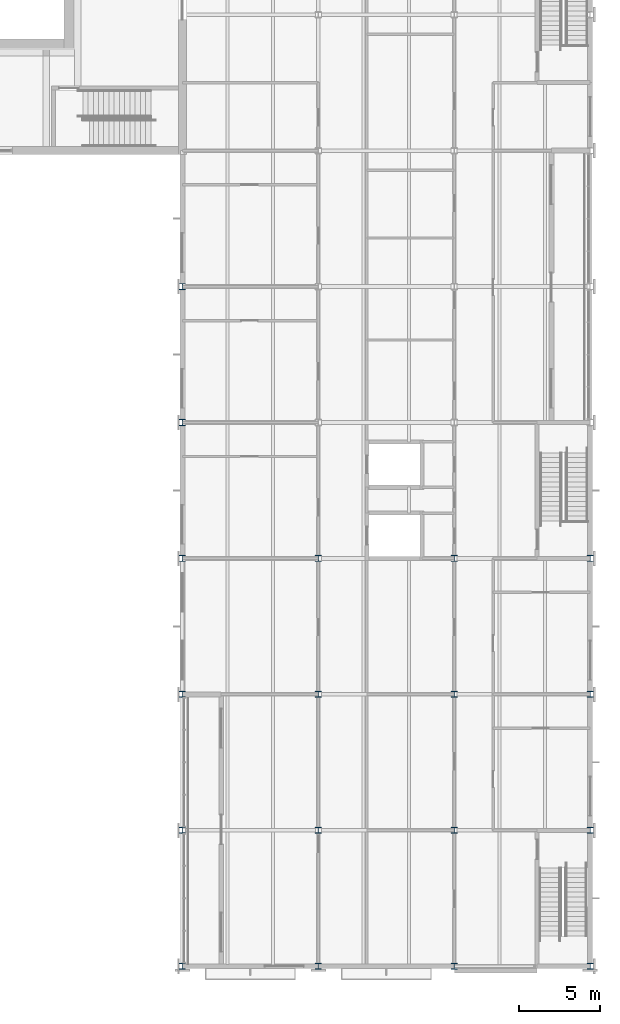
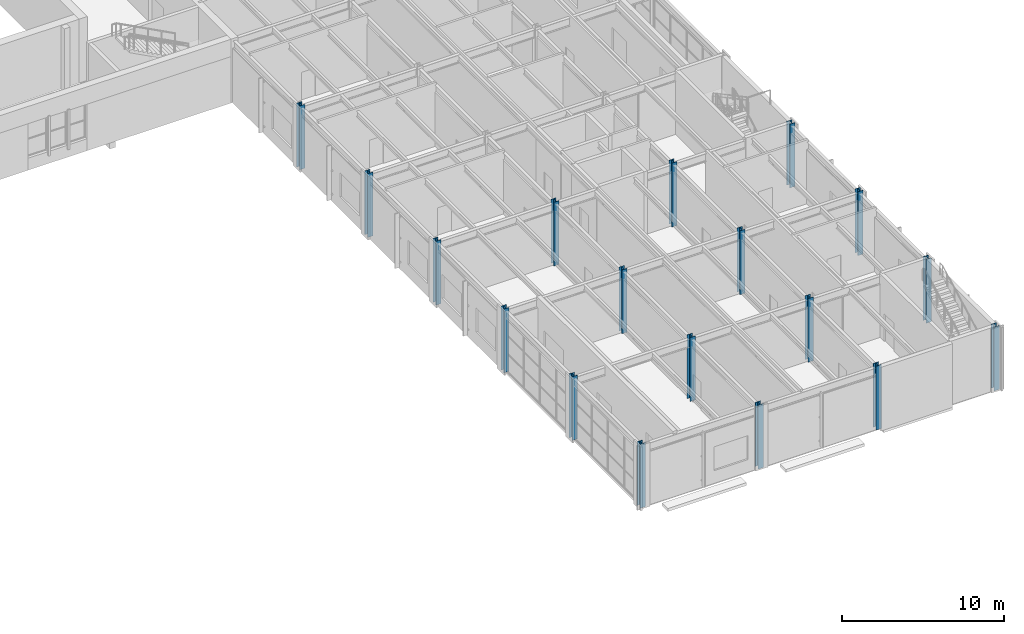
# One storey, part 4 of 127: 18 columns.
"""IFC4 building model written with IfcOpenShell, lengths in metres."""

from ifc_helpers import new_model, si_unit, direction, frame, origin, origin_2d, place, context, subcontext, project, spatial, i_section, extrude, material, material_profile, profile_set, type_object, element, save


model = new_model("IFC4")

# Units and contexts
model_context = context("Model", 3, precision=1e-05, world=origin(), true_north=direction((0.0, 1.0)))
body_context = subcontext(model_context, "Body", "Model", "MODEL_VIEW")
ifc_project = project(units=[si_unit("LENGTHUNIT", "METRE"), si_unit("AREAUNIT", "SQUARE_METRE"), si_unit("VOLUMEUNIT", "CUBIC_METRE"), si_unit("PLANEANGLEUNIT", "RADIAN"), si_unit("MASSUNIT", "GRAM", prefix="KILO")], contexts=[model_context])

# Site, building, storey
site_placement = place(None, origin())
site = spatial("IfcSite", under=ifc_project, at=site_placement, CompositionType="ELEMENT")
building_placement = place(site_placement, origin())
building = spatial("IfcBuilding", under=site, at=building_placement, Name="Ljudholm Concert House", CompositionType="ELEMENT")
storey_placement = place(building_placement, frame((0.0, 0.0, 5.39990234375)))
storey = spatial("IfcBuildingStorey", under=building, at=storey_placement, Name="L01", CompositionType="ELEMENT", Elevation=5.39990234375)

# Columns
ifc_material = material(Name="Steel ASTM A992", Category="steel")
ifc_material_profile = material_profile(ifc_material, i_section(OverallWidth=0.373291015625, OverallDepth=0.373291015625, WebThickness=0.016357421875, FlangeThickness=0.026123046875, FilletRadius=0.01513671875, at=origin_2d()), Name="W14X132")
ifc_profile_set = profile_set([ifc_material_profile], Name="Steel ASTM A992")
column_type = type_object("IfcColumnType", Name="STEEL COLUMN W14X132", PredefinedType="COLUMN", material=ifc_profile_set)
for number, where, z_axis, x_axis, name in (
    (1, (96.39990234375, 4.0, 0.0), (0.0, 0.0, 1.0), (1.0, 0.0, 0.0), "Column BOH-L01-col-96.4-4"),
    (2, (96.39990234375, 12.39990234375, 0.0), (0.0, 0.0, 1.0), (1.0, 0.0, 0.0), "Column BOH-L01-col-96.4-12.4"),
    (3, (96.39990234375, 20.800048828125, 0.0), (0.0, 0.0, 1.0), (1.0, 0.0, 0.0), "Column BOH-L01-col-96.4-20.8"),
    (4, (96.39990234375, 29.199951171875, 0.0), (0.0, 0.0, 1.0), (1.0, 0.0, 0.0), "Column BOH-L01-col-96.4-29.2"),
    (5, (96.39990234375, 37.60009765625, 0.0), (0.0, 0.0, 1.0), (1.0, 0.0, 0.0), "Column BOH-L01-col-96.4-37.6"),
    (6, (96.39990234375, 46.0, 0.0), (0.0, 0.0, 1.0), (1.0, 0.0, 0.0), "Column BOH-L01-col-96.4-46"),
    (7, (104.800048828125, 4.0, 0.0), (0.0, 0.0, 1.0), (1.0, 0.0, 0.0), "Column BOH-L01-col-104.8-4"),
    (8, (104.800048828125, 12.39990234375, 0.0), (0.0, 0.0, 1.0), (1.0, 0.0, 0.0), "Column BOH-L01-col-104.8-12.4"),
    (9, (104.800048828125, 20.800048828125, 0.0), (0.0, 0.0, 1.0), (1.0, 0.0, 0.0), "Column BOH-L01-col-104.8-20.8"),
    (10, (104.800048828125, 29.199951171875, 0.0), (0.0, 0.0, 1.0), (1.0, 0.0, 0.0), "Column BOH-L01-col-104.8-29.2"),
    (11, (113.199951171875, 4.0, 0.0), (0.0, 0.0, 1.0), (1.0, 0.0, 0.0), "Column BOH-L01-col-113.2-4"),
    (12, (113.199951171875, 12.39990234375, 0.0), (0.0, 0.0, 1.0), (1.0, 0.0, 0.0), "Column BOH-L01-col-113.2-12.4"),
    (13, (113.199951171875, 20.800048828125, 0.0), (0.0, 0.0, 1.0), (1.0, 0.0, 0.0), "Column BOH-L01-col-113.2-20.8"),
    (14, (113.199951171875, 29.199951171875, 0.0), (0.0, 0.0, 1.0), (1.0, 0.0, 0.0), "Column BOH-L01-col-113.2-29.2"),
    (15, (121.60009765625, 4.0, 0.0), (0.0, 0.0, 1.0), (1.0, 0.0, 0.0), "Column BOH-L01-col-121.6-4"),
    (16, (121.60009765625, 12.39990234375, 0.0), (0.0, 0.0, 1.0), (1.0, 0.0, 0.0), "Column BOH-L01-col-121.6-12.4"),
    (17, (121.60009765625, 20.800048828125, 0.0), (0.0, 0.0, 1.0), (1.0, 0.0, 0.0), "Column BOH-L01-col-121.6-20.8"),
    (18, (121.60009765625, 29.199951171875, 0.0), (0.0, 0.0, 1.0), (1.0, 0.0, 0.0), "Column BOH-L01-col-121.6-29.2"),
):
    element("IfcColumn", number, at=place(storey_placement, frame(where, z_axis=z_axis, x_axis=x_axis)), inside=storey, type_object=column_type, Name=name, PredefinedType="COLUMN", context=body_context, shape_type="SweptSolid", body=[
        extrude(i_section(OverallWidth=0.373291015625, OverallDepth=0.373291015625, WebThickness=0.016357421875, FlangeThickness=0.026123046875, FilletRadius=0.01513671875, at=origin_2d()), origin(), (0.0, 0.0, 1.0), 4.800048828125),
    ])

save(model, "model.ifc")
